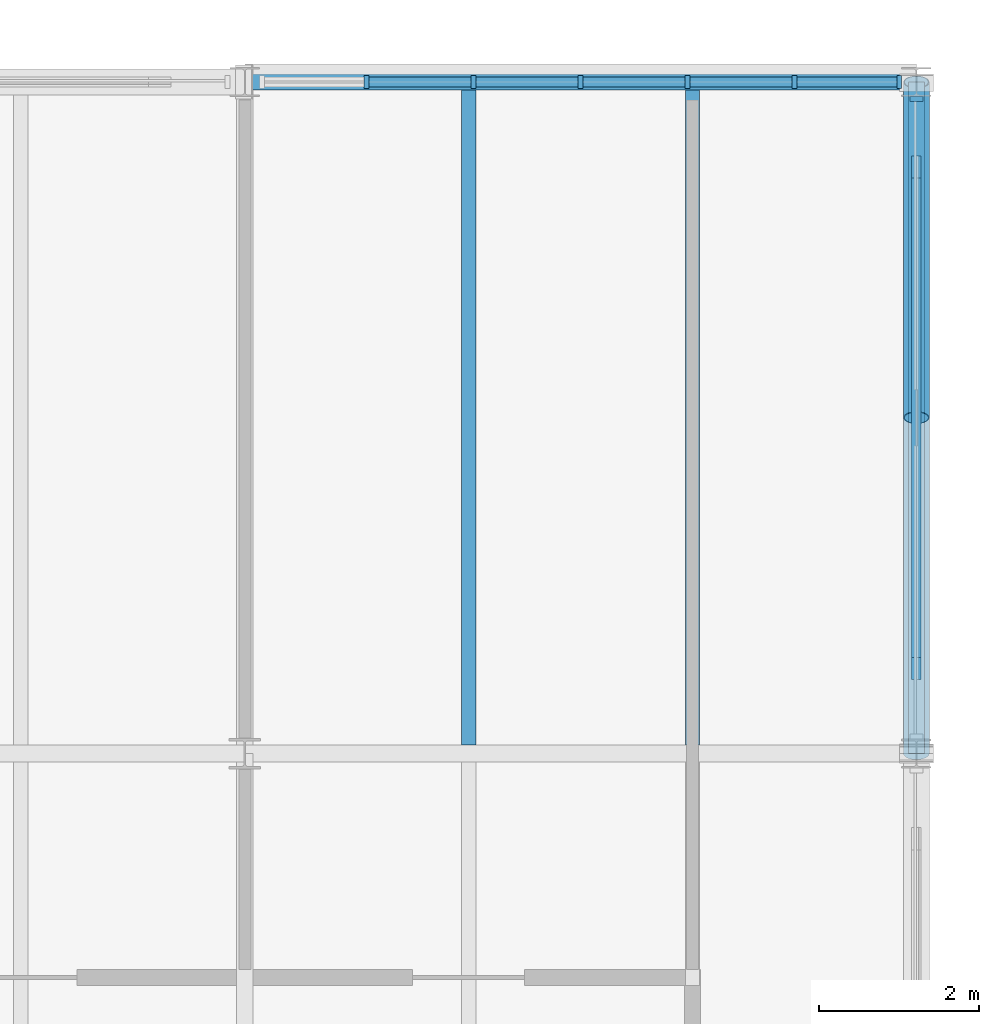
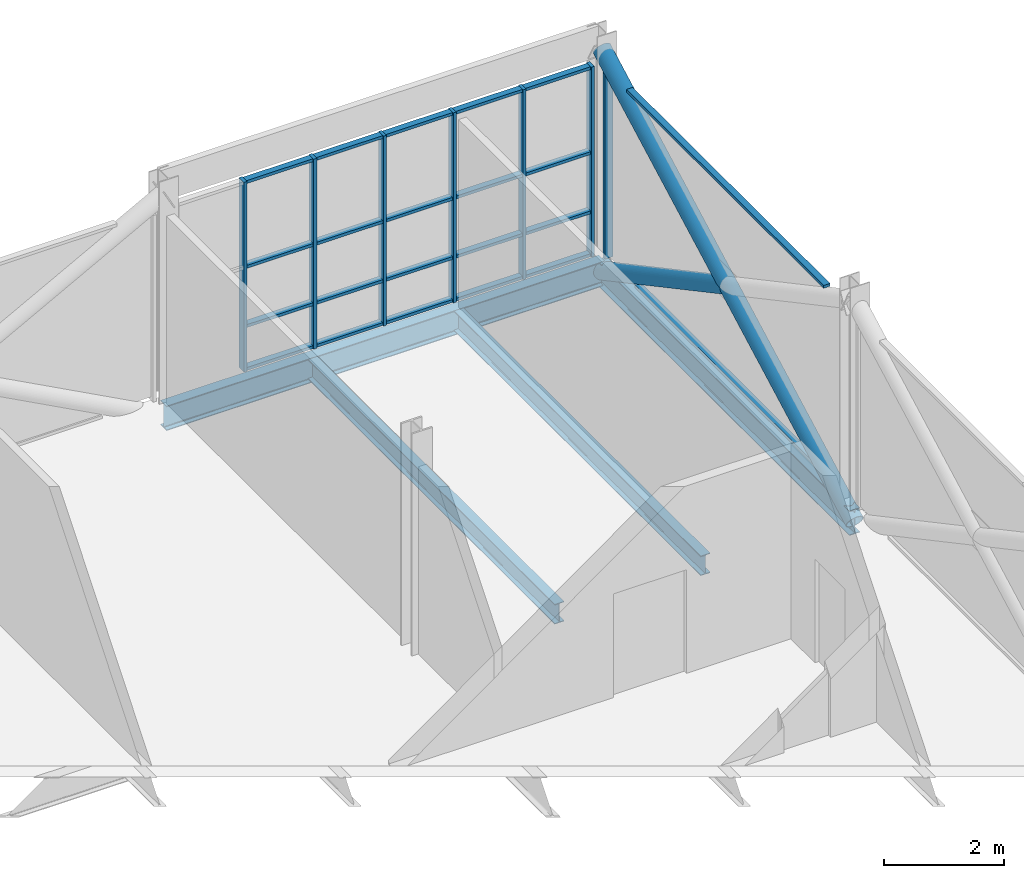
# One storey, part 59 of 129: 31 members, 4 beams, 2 elements without a shape of their own.
"""IFC4 building model written with IfcOpenShell, lengths in metres."""

from ifc_helpers import new_model, si_unit, direction, frame, origin, origin_2d, place, context, subcontext, project, spatial, rectangle, hollow_circle, i_section, extrude, material, layer, layer_set, material_profile, profile_set, type_object, element, aggregate, save


model = new_model("IFC4")

# Units and contexts
model_context = context("Model", 3, precision=1e-05, world=origin(), true_north=direction((0.0, 1.0)))
body_context = subcontext(model_context, "Body", "Model", "MODEL_VIEW")
ifc_project = project(units=[si_unit("LENGTHUNIT", "METRE"), si_unit("AREAUNIT", "SQUARE_METRE"), si_unit("VOLUMEUNIT", "CUBIC_METRE"), si_unit("PLANEANGLEUNIT", "RADIAN"), si_unit("MASSUNIT", "GRAM", prefix="KILO")], contexts=[model_context])

# Site, building, storey
site_placement = place(None, origin())
site = spatial("IfcSite", under=ifc_project, at=site_placement, CompositionType="ELEMENT")
building_placement = place(site_placement, origin())
building = spatial("IfcBuilding", under=site, at=building_placement, Name="Ardhachandra Cancer Care Centre", CompositionType="ELEMENT")
storey_placement = place(building_placement, frame((0.0, 0.0, 4.5)))
storey = spatial("IfcBuildingStorey", under=building, at=storey_placement, Name="L01", CompositionType="ELEMENT", Elevation=4.5)

# Beams
ifc_material_1 = material(Name="Steel E350 (IS 2062)", Category="steel")
ifc_material_profile_1 = material_profile(ifc_material_1, i_section(OverallWidth=0.179931640625, OverallDepth=0.39990234375, WebThickness=0.008544921875, FlangeThickness=0.013427734375, FilletRadius=0.02099609375, at=origin_2d()), Name="NPB 400x180x66.30")
ifc_profile_set_1 = profile_set([ifc_material_profile_1], Name="Steel E350 (IS 2062)")
beam_type_1 = type_object("IfcBeamType", Name="Beam NPB 400x180x66.30", PredefinedType="BEAM", material=ifc_profile_set_1)
for number, where, z_axis, x_axis, name in (
    (1, (139.60009765625, 96.705078125, -0.35009765625), (0.0, 1.0, 0.0), (-1.0, 0.0, 0.0), "Secondary L16-M16@2800"),
    (2, (142.39990234375, 96.705078125, -0.35009765625), (0.0, 1.0, 0.0), (-1.0, 0.0, 0.0), "Secondary L16-M16@5600"),
):
    element("IfcBeam", number, at=place(storey_placement, frame(where, z_axis=z_axis, x_axis=x_axis)), inside=storey, type_object=beam_type_1, Name=name, PredefinedType="BEAM", context=body_context, shape_type="SweptSolid", body=[
        extrude(i_section(OverallWidth=0.179931640625, OverallDepth=0.39990234375, WebThickness=0.008544921875, FlangeThickness=0.013427734375, FilletRadius=0.02099609375, at=origin_2d()), origin(), (0.0, 0.0, 1.0), 8.19482421875),
    ])
ifc_material_2 = material(Name="Steel E350 (IS 2062)", Category="steel")
ifc_material_profile_2 = material_profile(ifc_material_2, i_section(OverallWidth=0.199951171875, OverallDepth=0.5, WebThickness=0.01025390625, FlangeThickness=0.01611328125, FilletRadius=0.02099609375, at=origin_2d()), Name="NPB 500x200x90.68")
ifc_profile_set_2 = profile_set([ifc_material_profile_2], Name="Steel E350 (IS 2062)")
beam_type_2 = type_object("IfcBeamType", Name="Beam NPB 500x200x90.68", PredefinedType="BEAM", material=ifc_profile_set_2)
for number, where, z_axis, x_axis, name in (
    (3, (136.800048828125, 105.0, -0.39990234375), (1.0, 0.0, 0.0), (0.0, 1.0, 0.0), "Edge girder M16-M17"),
    (4, (145.199951171875, 96.60009765625, -0.39990234375), (0.0, 1.0, 0.0), (-1.0, 0.0, 0.0), "Edge girder L17-M17"),
):
    element("IfcBeam", number, at=place(storey_placement, frame(where, z_axis=z_axis, x_axis=x_axis)), inside=storey, type_object=beam_type_2, Name=name, PredefinedType="BEAM", context=body_context, shape_type="SweptSolid", body=[
        extrude(i_section(OverallWidth=0.199951171875, OverallDepth=0.5, WebThickness=0.01025390625, FlangeThickness=0.01611328125, FilletRadius=0.02099609375, at=origin_2d()), origin(), (0.0, 0.0, 1.0), 8.39990234375),
    ])

# Members
ifc_material_3 = material(Name="Steel E350 (IS 2062)", Category="steel")
ifc_material_profile_3 = material_profile(ifc_material_3, hollow_circle(Radius=0.161865234375, WallThickness=0.012451171875, at=origin_2d()), Name="CHS 323.9x12.5")
ifc_profile_set_3 = profile_set([ifc_material_profile_3], Name="Steel E350 (IS 2062)")
member_type_1 = type_object("IfcMemberType", Name="Brace CHS 323.9x12.5", PredefinedType="BRACE", material=ifc_profile_set_3)
member_1_placement = place(storey_placement, frame((145.199951171875, 96.60009765625, -0.39990234375), z_axis=(0.0, 0.881477684796, 0.472225678258), x_axis=(-1.0, 0.0, 0.0)))
element("IfcMember", 5, at=member_1_placement, inside=storey, type_object=member_type_1, Name="Brace V5-Y1452-966 L01 A", PredefinedType="BRACE", context=body_context, shape_type="SweptSolid", body=[
    extrude(hollow_circle(Radius=0.161865234375, WallThickness=0.012451171875, at=origin_2d()), origin(), (0.0, 0.0, 1.0), 9.529296875),
])
member_2_placement = place(storey_placement, frame((145.199951171875, 105.0, -0.39990234375), z_axis=(0.0, -0.881477684796, 0.472225678258), x_axis=(1.0, 0.0, 0.0)))
element("IfcMember", 6, at=member_2_placement, inside=storey, type_object=member_type_1, Name="Brace V5-Y1452-966 L01 B1", PredefinedType="BRACE", context=body_context, shape_type="SweptSolid", body=[
    extrude(hollow_circle(Radius=0.161865234375, WallThickness=0.012451171875, at=origin_2d()), origin(), (0.0, 0.0, 1.0), 4.7646484375),
])

# Curtain wall, member
ifc_material_4 = material(Name="Aluminium extrusion", Category="aluminium")
ifc_layer = layer(ifc_material_4, 0.14990234375)
ifc_layer_set = layer_set([ifc_layer], Name="Aluminium extrusion")
curtain_wall_type = type_object("IfcCurtainWallType", Name="Curtain wall run", PredefinedType="NOTDEFINED", material=ifc_layer_set)
curtain_wall_1_placement = place(storey_placement, origin())
curtain_wall_1 = element("IfcCurtainWall", 7, at=curtain_wall_1_placement, inside=storey, type_object=curtain_wall_type, Name="Curtain wall L01 e/0145200_0096600", PredefinedType="NOTDEFINED")
ifc_material_5 = material(Name="Aluminium extrusion", Category="aluminium")
ifc_material_profile_4 = material_profile(ifc_material_5, rectangle(XDim=0.159912109375, YDim=0.06005859375, at=origin_2d()), Name="Curtain wall mullion 60 x 160")
ifc_profile_set_4 = profile_set([ifc_material_profile_4], Name="Aluminium extrusion")
member_type_2 = type_object("IfcMemberType", Name="Curtain wall mullion 60 x 160", PredefinedType="MULLION", material=ifc_profile_set_4)
member_3_placement = place(storey_placement, frame((145.199951171875, 104.7880859375, 0.0), z_axis=(0.0, 0.0, 1.0), x_axis=(-1.0, 0.0, 0.0)))
member_3 = element("IfcMember", 8, at=member_3_placement, type_object=member_type_2, Name="CW mullion 2", PredefinedType="MULLION", context=body_context, shape_type="SweptSolid", body=[
    extrude(rectangle(XDim=0.159912109375, YDim=0.06005859375, at=origin_2d()), origin(), (0.0, 0.0, 1.0), 3.78466796875),
])

# Curtain wall, members
curtain_wall_2_placement = place(storey_placement, origin())
curtain_wall_2 = element("IfcCurtainWall", 9, at=curtain_wall_2_placement, inside=storey, type_object=curtain_wall_type, Name="Curtain wall L01 n/0136800_0105000", PredefinedType="NOTDEFINED")
member_4_placement = place(storey_placement, frame((138.32373046875, 105.0, 0.0), z_axis=(0.0, 0.0, 1.0), x_axis=(0.0, 1.0, 0.0)))
member_4 = element("IfcMember", 10, at=member_4_placement, type_object=member_type_2, Name="CW mullion 2", PredefinedType="MULLION", context=body_context, shape_type="SweptSolid", body=[
    extrude(rectangle(XDim=0.159912109375, YDim=0.06005859375, at=origin_2d()), origin(), (0.0, 0.0, 1.0), 3.85009765625),
])
member_5_placement = place(storey_placement, frame((139.661865234375, 105.0, 0.0), z_axis=(0.0, 0.0, 1.0), x_axis=(0.0, 1.0, 0.0)))
member_5 = element("IfcMember", 11, at=member_5_placement, type_object=member_type_2, Name="CW mullion 3", PredefinedType="MULLION", context=body_context, shape_type="SweptSolid", body=[
    extrude(rectangle(XDim=0.159912109375, YDim=0.06005859375, at=origin_2d()), origin(), (0.0, 0.0, 1.0), 3.85009765625),
])
member_6_placement = place(storey_placement, frame((141.0, 105.0, 0.0), z_axis=(0.0, 0.0, 1.0), x_axis=(0.0, 1.0, 0.0)))
member_6 = element("IfcMember", 12, at=member_6_placement, type_object=member_type_2, Name="CW mullion 4", PredefinedType="MULLION", context=body_context, shape_type="SweptSolid", body=[
    extrude(rectangle(XDim=0.159912109375, YDim=0.06005859375, at=origin_2d()), origin(), (0.0, 0.0, 1.0), 3.85009765625),
])
member_7_placement = place(storey_placement, frame((142.338134765625, 105.0, 0.0), z_axis=(0.0, 0.0, 1.0), x_axis=(0.0, 1.0, 0.0)))
member_7 = element("IfcMember", 13, at=member_7_placement, type_object=member_type_2, Name="CW mullion 5", PredefinedType="MULLION", context=body_context, shape_type="SweptSolid", body=[
    extrude(rectangle(XDim=0.159912109375, YDim=0.06005859375, at=origin_2d()), origin(), (0.0, 0.0, 1.0), 3.85009765625),
])
member_8_placement = place(storey_placement, frame((143.67626953125, 105.0, 0.0), z_axis=(0.0, 0.0, 1.0), x_axis=(0.0, 1.0, 0.0)))
member_8 = element("IfcMember", 14, at=member_8_placement, type_object=member_type_2, Name="CW mullion 6", PredefinedType="MULLION", context=body_context, shape_type="SweptSolid", body=[
    extrude(rectangle(XDim=0.159912109375, YDim=0.06005859375, at=origin_2d()), origin(), (0.0, 0.0, 1.0), 3.85009765625),
])
member_9_placement = place(storey_placement, frame((144.984619140625, 105.0, 0.0), z_axis=(0.0, 0.0, 1.0), x_axis=(0.0, 1.0, 0.0)))
member_9 = element("IfcMember", 15, at=member_9_placement, type_object=member_type_2, Name="CW mullion 7", PredefinedType="MULLION", context=body_context, shape_type="SweptSolid", body=[
    extrude(rectangle(XDim=0.159912109375, YDim=0.06005859375, at=origin_2d()), origin(), (0.0, 0.0, 1.0), 3.85009765625),
])

# Member
ifc_material_6 = material(Name="Aluminium extrusion", Category="aluminium")
ifc_material_profile_5 = material_profile(ifc_material_6, rectangle(XDim=0.1201171875, YDim=0.06005859375, at=origin_2d()), Name="Curtain wall transom 60 x 120")
ifc_profile_set_5 = profile_set([ifc_material_profile_5], Name="Aluminium extrusion")
member_type_3 = type_object("IfcMemberType", Name="Curtain wall transom 60 x 120", PredefinedType="USERDEFINED", material=ifc_profile_set_5)
member_10_placement = place(storey_placement, frame((145.199951171875, 97.8046875, 0.030029296875), z_axis=(0.0, 1.0, 0.0), x_axis=(-1.0, 0.0, 0.0)))
member_10 = element("IfcMember", 16, at=member_10_placement, type_object=member_type_3, Name="CW transom 1.1", ObjectType="TRANSOM", PredefinedType="USERDEFINED", context=body_context, shape_type="SweptSolid", body=[
    extrude(rectangle(XDim=0.1201171875, YDim=0.06005859375, at=origin_2d()), origin(), (0.0, 0.0, 1.0), 5.991455078125),
])

member_11_placement = place(storey_placement, frame((145.199951171875, 97.523681640625, 3.820068359375), z_axis=(0.0, 1.0, 0.0), x_axis=(-1.0, 0.0, 0.0)))
member_11 = element("IfcMember", 17, at=member_11_placement, type_object=member_type_3, Name="CW transom 1.2", ObjectType="TRANSOM", PredefinedType="USERDEFINED", context=body_context, shape_type="SweptSolid", body=[
    extrude(rectangle(XDim=0.1201171875, YDim=0.06005859375, at=origin_2d()), origin(), (0.0, 0.0, 1.0), 6.552490234375),
])

aggregate(curtain_wall_1, [member_3, member_10, member_11])

member_12_placement = place(storey_placement, frame((138.353759765625, 105.0, 0.030029296875), z_axis=(1.0, 0.0, 0.0), x_axis=(0.0, 1.0, 0.0)))
member_12 = element("IfcMember", 18, at=member_12_placement, type_object=member_type_3, Name="CW transom 2.1", ObjectType="TRANSOM", PredefinedType="USERDEFINED", context=body_context, shape_type="SweptSolid", body=[
    extrude(rectangle(XDim=0.1201171875, YDim=0.06005859375, at=origin_2d()), origin(), (0.0, 0.0, 1.0), 1.278076171875),
])

member_13_placement = place(storey_placement, frame((138.353759765625, 105.0, 0.89990234375), z_axis=(1.0, 0.0, 0.0), x_axis=(0.0, 1.0, 0.0)))
member_13 = element("IfcMember", 19, at=member_13_placement, type_object=member_type_3, Name="CW transom 2.2", ObjectType="TRANSOM", PredefinedType="USERDEFINED", context=body_context, shape_type="SweptSolid", body=[
    extrude(rectangle(XDim=0.1201171875, YDim=0.06005859375, at=origin_2d()), origin(), (0.0, 0.0, 1.0), 1.278076171875),
])

member_14_placement = place(storey_placement, frame((138.353759765625, 105.0, 2.10009765625), z_axis=(1.0, 0.0, 0.0), x_axis=(0.0, 1.0, 0.0)))
member_14 = element("IfcMember", 20, at=member_14_placement, type_object=member_type_3, Name="CW transom 2.3", ObjectType="TRANSOM", PredefinedType="USERDEFINED", context=body_context, shape_type="SweptSolid", body=[
    extrude(rectangle(XDim=0.1201171875, YDim=0.06005859375, at=origin_2d()), origin(), (0.0, 0.0, 1.0), 1.278076171875),
])

member_15_placement = place(storey_placement, frame((138.353759765625, 105.0, 3.820068359375), z_axis=(1.0, 0.0, 0.0), x_axis=(0.0, 1.0, 0.0)))
member_15 = element("IfcMember", 21, at=member_15_placement, type_object=member_type_3, Name="CW transom 2.4", ObjectType="TRANSOM", PredefinedType="USERDEFINED", context=body_context, shape_type="SweptSolid", body=[
    extrude(rectangle(XDim=0.1201171875, YDim=0.06005859375, at=origin_2d()), origin(), (0.0, 0.0, 1.0), 1.278076171875),
])

member_16_placement = place(storey_placement, frame((139.69189453125, 105.0, 0.030029296875), z_axis=(1.0, 0.0, 0.0), x_axis=(0.0, 1.0, 0.0)))
member_16 = element("IfcMember", 22, at=member_16_placement, type_object=member_type_3, Name="CW transom 3.1", ObjectType="TRANSOM", PredefinedType="USERDEFINED", context=body_context, shape_type="SweptSolid", body=[
    extrude(rectangle(XDim=0.1201171875, YDim=0.06005859375, at=origin_2d()), origin(), (0.0, 0.0, 1.0), 1.278076171875),
])

member_17_placement = place(storey_placement, frame((139.69189453125, 105.0, 0.89990234375), z_axis=(1.0, 0.0, 0.0), x_axis=(0.0, 1.0, 0.0)))
member_17 = element("IfcMember", 23, at=member_17_placement, type_object=member_type_3, Name="CW transom 3.2", ObjectType="TRANSOM", PredefinedType="USERDEFINED", context=body_context, shape_type="SweptSolid", body=[
    extrude(rectangle(XDim=0.1201171875, YDim=0.06005859375, at=origin_2d()), origin(), (0.0, 0.0, 1.0), 1.278076171875),
])

member_18_placement = place(storey_placement, frame((139.69189453125, 105.0, 2.10009765625), z_axis=(1.0, 0.0, 0.0), x_axis=(0.0, 1.0, 0.0)))
member_18 = element("IfcMember", 24, at=member_18_placement, type_object=member_type_3, Name="CW transom 3.3", ObjectType="TRANSOM", PredefinedType="USERDEFINED", context=body_context, shape_type="SweptSolid", body=[
    extrude(rectangle(XDim=0.1201171875, YDim=0.06005859375, at=origin_2d()), origin(), (0.0, 0.0, 1.0), 1.278076171875),
])

member_19_placement = place(storey_placement, frame((139.69189453125, 105.0, 3.820068359375), z_axis=(1.0, 0.0, 0.0), x_axis=(0.0, 1.0, 0.0)))
member_19 = element("IfcMember", 25, at=member_19_placement, type_object=member_type_3, Name="CW transom 3.4", ObjectType="TRANSOM", PredefinedType="USERDEFINED", context=body_context, shape_type="SweptSolid", body=[
    extrude(rectangle(XDim=0.1201171875, YDim=0.06005859375, at=origin_2d()), origin(), (0.0, 0.0, 1.0), 1.278076171875),
])

member_20_placement = place(storey_placement, frame((141.030029296875, 105.0, 0.030029296875), z_axis=(1.0, 0.0, 0.0), x_axis=(0.0, 1.0, 0.0)))
member_20 = element("IfcMember", 26, at=member_20_placement, type_object=member_type_3, Name="CW transom 4.1", ObjectType="TRANSOM", PredefinedType="USERDEFINED", context=body_context, shape_type="SweptSolid", body=[
    extrude(rectangle(XDim=0.1201171875, YDim=0.06005859375, at=origin_2d()), origin(), (0.0, 0.0, 1.0), 1.278076171875),
])

member_21_placement = place(storey_placement, frame((141.030029296875, 105.0, 0.89990234375), z_axis=(1.0, 0.0, 0.0), x_axis=(0.0, 1.0, 0.0)))
member_21 = element("IfcMember", 27, at=member_21_placement, type_object=member_type_3, Name="CW transom 4.2", ObjectType="TRANSOM", PredefinedType="USERDEFINED", context=body_context, shape_type="SweptSolid", body=[
    extrude(rectangle(XDim=0.1201171875, YDim=0.06005859375, at=origin_2d()), origin(), (0.0, 0.0, 1.0), 1.278076171875),
])

member_22_placement = place(storey_placement, frame((141.030029296875, 105.0, 2.10009765625), z_axis=(1.0, 0.0, 0.0), x_axis=(0.0, 1.0, 0.0)))
member_22 = element("IfcMember", 28, at=member_22_placement, type_object=member_type_3, Name="CW transom 4.3", ObjectType="TRANSOM", PredefinedType="USERDEFINED", context=body_context, shape_type="SweptSolid", body=[
    extrude(rectangle(XDim=0.1201171875, YDim=0.06005859375, at=origin_2d()), origin(), (0.0, 0.0, 1.0), 1.278076171875),
])

member_23_placement = place(storey_placement, frame((141.030029296875, 105.0, 3.820068359375), z_axis=(1.0, 0.0, 0.0), x_axis=(0.0, 1.0, 0.0)))
member_23 = element("IfcMember", 29, at=member_23_placement, type_object=member_type_3, Name="CW transom 4.4", ObjectType="TRANSOM", PredefinedType="USERDEFINED", context=body_context, shape_type="SweptSolid", body=[
    extrude(rectangle(XDim=0.1201171875, YDim=0.06005859375, at=origin_2d()), origin(), (0.0, 0.0, 1.0), 1.278076171875),
])

member_24_placement = place(storey_placement, frame((142.3681640625, 105.0, 0.030029296875), z_axis=(1.0, 0.0, 0.0), x_axis=(0.0, 1.0, 0.0)))
member_24 = element("IfcMember", 30, at=member_24_placement, type_object=member_type_3, Name="CW transom 5.1", ObjectType="TRANSOM", PredefinedType="USERDEFINED", context=body_context, shape_type="SweptSolid", body=[
    extrude(rectangle(XDim=0.1201171875, YDim=0.06005859375, at=origin_2d()), origin(), (0.0, 0.0, 1.0), 1.278076171875),
])

member_25_placement = place(storey_placement, frame((142.3681640625, 105.0, 0.89990234375), z_axis=(1.0, 0.0, 0.0), x_axis=(0.0, 1.0, 0.0)))
member_25 = element("IfcMember", 31, at=member_25_placement, type_object=member_type_3, Name="CW transom 5.2", ObjectType="TRANSOM", PredefinedType="USERDEFINED", context=body_context, shape_type="SweptSolid", body=[
    extrude(rectangle(XDim=0.1201171875, YDim=0.06005859375, at=origin_2d()), origin(), (0.0, 0.0, 1.0), 1.278076171875),
])

member_26_placement = place(storey_placement, frame((142.3681640625, 105.0, 2.10009765625), z_axis=(1.0, 0.0, 0.0), x_axis=(0.0, 1.0, 0.0)))
member_26 = element("IfcMember", 32, at=member_26_placement, type_object=member_type_3, Name="CW transom 5.3", ObjectType="TRANSOM", PredefinedType="USERDEFINED", context=body_context, shape_type="SweptSolid", body=[
    extrude(rectangle(XDim=0.1201171875, YDim=0.06005859375, at=origin_2d()), origin(), (0.0, 0.0, 1.0), 1.278076171875),
])

member_27_placement = place(storey_placement, frame((142.3681640625, 105.0, 3.820068359375), z_axis=(1.0, 0.0, 0.0), x_axis=(0.0, 1.0, 0.0)))
member_27 = element("IfcMember", 33, at=member_27_placement, type_object=member_type_3, Name="CW transom 5.4", ObjectType="TRANSOM", PredefinedType="USERDEFINED", context=body_context, shape_type="SweptSolid", body=[
    extrude(rectangle(XDim=0.1201171875, YDim=0.06005859375, at=origin_2d()), origin(), (0.0, 0.0, 1.0), 1.278076171875),
])

member_28_placement = place(storey_placement, frame((143.706298828125, 105.0, 0.030029296875), z_axis=(1.0, 0.0, 0.0), x_axis=(0.0, 1.0, 0.0)))
member_28 = element("IfcMember", 34, at=member_28_placement, type_object=member_type_3, Name="CW transom 6.1", ObjectType="TRANSOM", PredefinedType="USERDEFINED", context=body_context, shape_type="SweptSolid", body=[
    extrude(rectangle(XDim=0.1201171875, YDim=0.06005859375, at=origin_2d()), origin(), (0.0, 0.0, 1.0), 1.248291015625),
])

member_29_placement = place(storey_placement, frame((143.706298828125, 105.0, 0.89990234375), z_axis=(1.0, 0.0, 0.0), x_axis=(0.0, 1.0, 0.0)))
member_29 = element("IfcMember", 35, at=member_29_placement, type_object=member_type_3, Name="CW transom 6.2", ObjectType="TRANSOM", PredefinedType="USERDEFINED", context=body_context, shape_type="SweptSolid", body=[
    extrude(rectangle(XDim=0.1201171875, YDim=0.06005859375, at=origin_2d()), origin(), (0.0, 0.0, 1.0), 1.248291015625),
])

member_30_placement = place(storey_placement, frame((143.706298828125, 105.0, 2.10009765625), z_axis=(1.0, 0.0, 0.0), x_axis=(0.0, 1.0, 0.0)))
member_30 = element("IfcMember", 36, at=member_30_placement, type_object=member_type_3, Name="CW transom 6.3", ObjectType="TRANSOM", PredefinedType="USERDEFINED", context=body_context, shape_type="SweptSolid", body=[
    extrude(rectangle(XDim=0.1201171875, YDim=0.06005859375, at=origin_2d()), origin(), (0.0, 0.0, 1.0), 1.248291015625),
])

member_31_placement = place(storey_placement, frame((143.706298828125, 105.0, 3.820068359375), z_axis=(1.0, 0.0, 0.0), x_axis=(0.0, 1.0, 0.0)))
member_31 = element("IfcMember", 37, at=member_31_placement, type_object=member_type_3, Name="CW transom 6.4", ObjectType="TRANSOM", PredefinedType="USERDEFINED", context=body_context, shape_type="SweptSolid", body=[
    extrude(rectangle(XDim=0.1201171875, YDim=0.06005859375, at=origin_2d()), origin(), (0.0, 0.0, 1.0), 1.248291015625),
])

aggregate(curtain_wall_2, [member_4, member_5, member_6, member_7, member_8, member_9, member_12, member_13, member_14, member_15, member_16, member_17, member_18, member_19, member_20, member_21, member_22, member_23, member_24, member_25, member_26, member_27, member_28, member_29, member_30, member_31])

save(model, "model.ifc")
